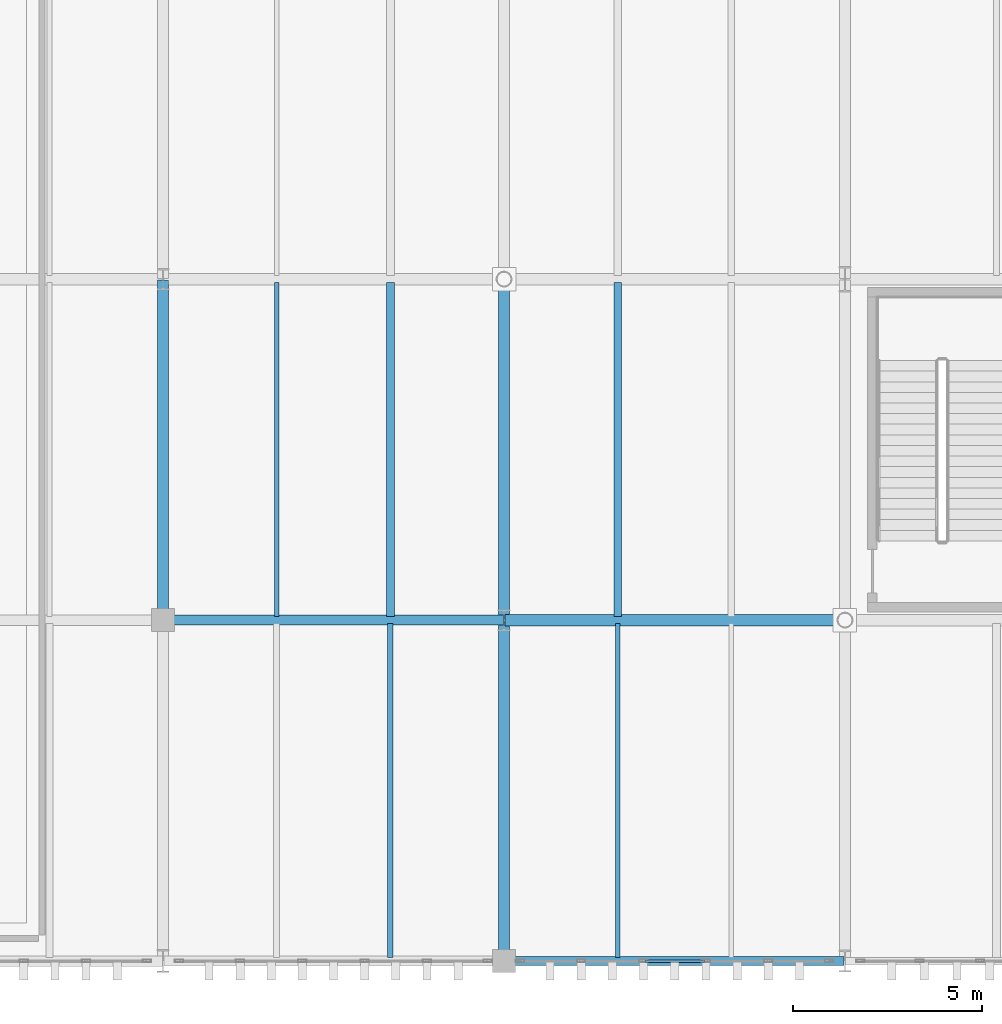
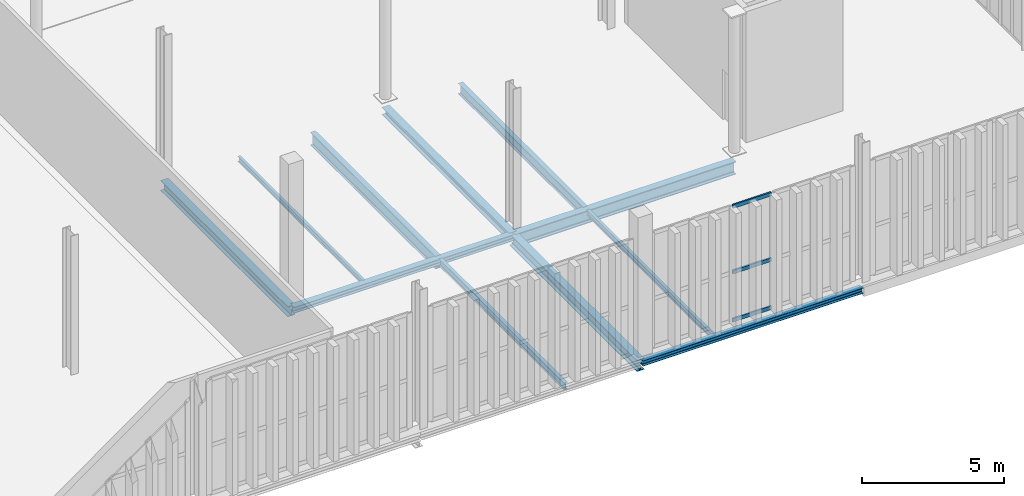
# One storey, part 90 of 211: 11 beams, 3 members, 1 element without a shape of its own.
"""IFC4 building model written with IfcOpenShell, lengths in metres."""

from ifc_helpers import new_model, si_unit, direction, frame, origin, origin_2d, place, context, subcontext, project, spatial, hollow_rectangle, i_section, extrude, material, layer, layer_set, material_profile, profile_set, type_object, element, aggregate, save


model = new_model("IFC4")

# Units and contexts
model_context = context("Model", 3, precision=1e-05, world=origin(), true_north=direction((0.0, 1.0)))
body_context = subcontext(model_context, "Body", "Model", "MODEL_VIEW")
ifc_project = project(units=[si_unit("LENGTHUNIT", "METRE"), si_unit("AREAUNIT", "SQUARE_METRE"), si_unit("VOLUMEUNIT", "CUBIC_METRE"), si_unit("PLANEANGLEUNIT", "RADIAN"), si_unit("MASSUNIT", "GRAM", prefix="KILO")], contexts=[model_context])

# Site, building, storey
site_placement = place(None, origin())
site = spatial("IfcSite", under=ifc_project, at=site_placement, CompositionType="ELEMENT")
building_placement = place(site_placement, origin())
building = spatial("IfcBuilding", under=site, at=building_placement, Name="Barlavento Convention Centre", CompositionType="ELEMENT")
storey_placement = place(building_placement, frame((0.0, 0.0, 6.0)))
storey = spatial("IfcBuildingStorey", under=building, at=storey_placement, Name="L01", CompositionType="ELEMENT", Elevation=6.0)

# Curtain wall, members
ifc_material_1 = material(Name="Powder-coated aluminium and Low-E glass", Category="aluminium")
ifc_layer = layer(ifc_material_1, 0.18994140625)
ifc_layer_set = layer_set([ifc_layer], Name="ARC-CW-BALL-L01")
curtain_wall_type = type_object("IfcCurtainWallType", Name="ARC-CW-BALL-L01", PredefinedType="NOTDEFINED", material=ifc_layer_set)
curtain_wall_placement = place(storey_placement, origin())
curtain_wall = element("IfcCurtainWall", 1, at=curtain_wall_placement, inside=storey, type_object=curtain_wall_type, Name="L01 unitised curtain wall CW06", PredefinedType="NOTDEFINED")
ifc_material_2 = material(Name="Powder-coated aluminium", Category="aluminium")
ifc_material_profile_1 = material_profile(ifc_material_2, hollow_rectangle(XDim=0.06494140625, YDim=0.159912109375, WallThickness=0.0048828125, at=origin_2d()), Name="AL-TRAN 65x160x5")
ifc_profile_set_1 = profile_set([ifc_material_profile_1], Name="Powder-coated aluminium")
member_type = type_object("IfcMemberType", Name="ARC-CWT-65X160", PredefinedType="USERDEFINED", material=ifc_profile_set_1)
member_1_placement = place(storey_placement, frame((174.718505859375, 0.0, 0.032470703125), z_axis=(1.0, 0.0, 0.0), x_axis=(0.0, 1.0, 0.0)))
member_1 = element("IfcMember", 2, at=member_1_placement, type_object=member_type, Name="CW06 transom 3.1", ObjectType="TRANSOM", PredefinedType="USERDEFINED", context=body_context, shape_type="SweptSolid", body=[
    extrude(hollow_rectangle(XDim=0.06494140625, YDim=0.159912109375, WallThickness=0.0048828125, at=origin_2d()), origin(), (0.0, 0.0, 1.0), 1.576904296875),
])
member_2_placement = place(storey_placement, frame((174.718505859375, 0.0, 2.10009765625), z_axis=(1.0, 0.0, 0.0), x_axis=(0.0, 1.0, 0.0)))
member_2 = element("IfcMember", 3, at=member_2_placement, type_object=member_type, Name="CW06 transom 3.2", ObjectType="TRANSOM", PredefinedType="USERDEFINED", context=body_context, shape_type="SweptSolid", body=[
    extrude(hollow_rectangle(XDim=0.06494140625, YDim=0.159912109375, WallThickness=0.0048828125, at=origin_2d()), origin(), (0.0, 0.0, 1.0), 1.576904296875),
])
member_3_placement = place(storey_placement, frame((174.718505859375, 0.0, 4.91748046875), z_axis=(1.0, 0.0, 0.0), x_axis=(0.0, 1.0, 0.0)))
member_3 = element("IfcMember", 4, at=member_3_placement, type_object=member_type, Name="CW06 transom 3.3", ObjectType="TRANSOM", PredefinedType="USERDEFINED", context=body_context, shape_type="SweptSolid", body=[
    extrude(hollow_rectangle(XDim=0.06494140625, YDim=0.159912109375, WallThickness=0.0048828125, at=origin_2d()), origin(), (0.0, 0.0, 1.0), 1.576904296875),
])
aggregate(curtain_wall, [member_1, member_2, member_3])

# Beams
ifc_material_3 = material(Name="Steel S355", Category="steel")
ifc_material_profile_2 = material_profile(ifc_material_3, i_section(OverallWidth=0.110107421875, OverallDepth=0.219970703125, WebThickness=0.005859375, FlangeThickness=0.00927734375, FilletRadius=0.011962890625, at=origin_2d()), Name="IPE 220")
ifc_profile_set_2 = profile_set([ifc_material_profile_2], Name="Steel S355")
beam_type_1 = type_object("IfcBeamType", Name="STR-BM-JST-IPE220", PredefinedType="JOIST", material=ifc_profile_set_2)
beam_1_placement = place(storey_placement, frame((165.0, 9.094970703125, -0.469970703125), z_axis=(0.0, 1.0, 0.0), x_axis=(-1.0, 0.0, 0.0)))
element("IfcBeam", 5, at=beam_1_placement, inside=storey, type_object=beam_type_1, Name="L01 composite floor joist SJ10", PredefinedType="JOIST", context=body_context, shape_type="SweptSolid", body=[
    extrude(i_section(OverallWidth=0.110107421875, OverallDepth=0.219970703125, WebThickness=0.005859375, FlangeThickness=0.00927734375, FilletRadius=0.011962890625, at=origin_2d()), origin(), (0.0, 0.0, 1.0), 8.81005859375),
])
ifc_material_profile_3 = material_profile(ifc_material_3, i_section(OverallWidth=0.1201171875, OverallDepth=0.239990234375, WebThickness=0.006103515625, FlangeThickness=0.009765625, FilletRadius=0.014892578125, at=origin_2d()), Name="IPE 240")
ifc_profile_set_3 = profile_set([ifc_material_profile_3], Name="Steel S355")
beam_type_2 = type_object("IfcBeamType", Name="STR-BM-JST-IPE240", PredefinedType="JOIST", material=ifc_profile_set_3)
beam_2_placement = place(storey_placement, frame((174.0, 0.094970703125, -0.47998046875), z_axis=(0.0, 1.0, 0.0), x_axis=(-1.0, 0.0, 0.0)))
element("IfcBeam", 6, at=beam_2_placement, inside=storey, type_object=beam_type_2, Name="L01 composite floor joist SJ09", PredefinedType="JOIST", context=body_context, shape_type="SweptSolid", body=[
    extrude(i_section(OverallWidth=0.1201171875, OverallDepth=0.239990234375, WebThickness=0.006103515625, FlangeThickness=0.009765625, FilletRadius=0.014892578125, at=origin_2d()), origin(), (0.0, 0.0, 1.0), 8.81005859375),
])
ifc_material_profile_4 = material_profile(ifc_material_3, i_section(OverallWidth=0.14990234375, OverallDepth=0.300048828125, WebThickness=0.007080078125, FlangeThickness=0.0107421875, FilletRadius=0.014892578125, at=origin_2d()), Name="IPE 300")
ifc_profile_set_4 = profile_set([ifc_material_profile_4], Name="Steel S355")
beam_type_3 = type_object("IfcBeamType", Name="STR-BM-JST-IPE300", PredefinedType="JOIST", material=ifc_profile_set_4)
beam_3_placement = place(storey_placement, frame((168.0, 0.094970703125, -0.510009765625), z_axis=(0.0, 1.0, 0.0), x_axis=(-1.0, 0.0, 0.0)))
element("IfcBeam", 7, at=beam_3_placement, inside=storey, type_object=beam_type_3, Name="L01 composite floor joist SJ07", PredefinedType="JOIST", context=body_context, shape_type="SweptSolid", body=[
    extrude(i_section(OverallWidth=0.14990234375, OverallDepth=0.300048828125, WebThickness=0.007080078125, FlangeThickness=0.0107421875, FilletRadius=0.014892578125, at=origin_2d()), origin(), (0.0, 0.0, 1.0), 8.81005859375),
])
ifc_material_profile_5 = material_profile(ifc_material_3, i_section(OverallWidth=0.18994140625, OverallDepth=0.449951171875, WebThickness=0.009521484375, FlangeThickness=0.0146484375, FilletRadius=0.02099609375, at=origin_2d()), Name="IPE 450")
ifc_profile_set_5 = profile_set([ifc_material_profile_5], Name="Steel S355")
beam_type_4 = type_object("IfcBeamType", Name="STR-BM-JST-IPE450", PredefinedType="JOIST", material=ifc_profile_set_5)
beam_4_placement = place(storey_placement, frame((174.0, 9.094970703125, -0.5849609375), z_axis=(0.0, 1.0, 0.0), x_axis=(-1.0, 0.0, 0.0)))
element("IfcBeam", 8, at=beam_4_placement, inside=storey, type_object=beam_type_4, Name="L01 composite floor joist SJ03", PredefinedType="JOIST", context=body_context, shape_type="SweptSolid", body=[
    extrude(i_section(OverallWidth=0.18994140625, OverallDepth=0.449951171875, WebThickness=0.009521484375, FlangeThickness=0.0146484375, FilletRadius=0.02099609375, at=origin_2d()), origin(), (0.0, 0.0, 1.0), 8.81005859375),
])
ifc_material_profile_6 = material_profile(ifc_material_3, i_section(OverallWidth=0.2099609375, OverallDepth=0.550048828125, WebThickness=0.010986328125, FlangeThickness=0.01708984375, FilletRadius=0.02392578125, at=origin_2d()), Name="IPE 550")
ifc_profile_set_6 = profile_set([ifc_material_profile_6], Name="Steel S355")
beam_type_5 = type_object("IfcBeamType", Name="STR-BM-JST-IPE550", PredefinedType="JOIST", material=ifc_profile_set_6)
beam_5_placement = place(storey_placement, frame((168.0, 9.094970703125, -0.635009765625), z_axis=(0.0, 1.0, 0.0), x_axis=(-1.0, 0.0, 0.0)))
element("IfcBeam", 9, at=beam_5_placement, inside=storey, type_object=beam_type_5, Name="L01 composite floor joist SJ01", PredefinedType="JOIST", context=body_context, shape_type="SweptSolid", body=[
    extrude(i_section(OverallWidth=0.2099609375, OverallDepth=0.550048828125, WebThickness=0.010986328125, FlangeThickness=0.01708984375, FilletRadius=0.02392578125, at=origin_2d()), origin(), (0.0, 0.0, 1.0), 8.81005859375),
])
ifc_material_profile_7 = material_profile(ifc_material_3, i_section(OverallWidth=0.300048828125, OverallDepth=0.330078125, WebThickness=0.009521484375, FlangeThickness=0.0166015625, FilletRadius=0.027099609375, at=origin_2d()), Name="HEA 340")
ifc_profile_set_7 = profile_set([ifc_material_profile_7], Name="Steel S355")
beam_type_6 = type_object("IfcBeamType", Name="STR-BM-PRI-HEA340", PredefinedType="BEAM", material=ifc_profile_set_7)
beam_6_placement = place(storey_placement, frame((171.0, 9.02001953125, -0.52490234375), z_axis=(0.0, 1.0, 0.0), x_axis=(-1.0, 0.0, 0.0)))
element("IfcBeam", 10, at=beam_6_placement, inside=storey, type_object=beam_type_6, Name="L01 grid girder BG24", PredefinedType="BEAM", context=body_context, shape_type="SweptSolid", body=[
    extrude(i_section(OverallWidth=0.300048828125, OverallDepth=0.330078125, WebThickness=0.009521484375, FlangeThickness=0.0166015625, FilletRadius=0.027099609375, at=origin_2d()), origin(), (0.0, 0.0, 1.0), 8.9599609375),
])
ifc_material_profile_8 = material_profile(ifc_material_3, i_section(OverallWidth=0.300048828125, OverallDepth=0.43994140625, WebThickness=0.011474609375, FlangeThickness=0.02099609375, FilletRadius=0.027099609375, at=origin_2d()), Name="HEA 450")
ifc_profile_set_8 = profile_set([ifc_material_profile_8], Name="Steel S355")
beam_type_7 = type_object("IfcBeamType", Name="STR-BM-PRI-HEA450", PredefinedType="BEAM", material=ifc_profile_set_8)
beam_7_placement = place(storey_placement, frame((162.0, 9.02001953125, -0.580078125), z_axis=(0.0, 1.0, 0.0), x_axis=(-1.0, 0.0, 0.0)))
element("IfcBeam", 11, at=beam_7_placement, inside=storey, type_object=beam_type_7, Name="L01 grid girder BG21", PredefinedType="BEAM", context=body_context, shape_type="SweptSolid", body=[
    extrude(i_section(OverallWidth=0.300048828125, OverallDepth=0.43994140625, WebThickness=0.011474609375, FlangeThickness=0.02099609375, FilletRadius=0.027099609375, at=origin_2d()), origin(), (0.0, 0.0, 1.0), 8.9599609375),
])
ifc_material_profile_9 = material_profile(ifc_material_3, i_section(OverallWidth=0.300048828125, OverallDepth=0.489990234375, WebThickness=0.011962890625, FlangeThickness=0.02294921875, FilletRadius=0.027099609375, at=origin_2d()), Name="HEA 500")
ifc_profile_set_9 = profile_set([ifc_material_profile_9], Name="Steel S355")
beam_type_8 = type_object("IfcBeamType", Name="STR-BM-PRI-HEA500", PredefinedType="BEAM", material=ifc_profile_set_9)
beam_8_placement = place(storey_placement, frame((171.0, 0.02001953125, -0.60498046875), z_axis=(0.0, 1.0, 0.0), x_axis=(-1.0, 0.0, 0.0)))
element("IfcBeam", 12, at=beam_8_placement, inside=storey, type_object=beam_type_8, Name="L01 grid girder BG20", PredefinedType="BEAM", context=body_context, shape_type="SweptSolid", body=[
    extrude(i_section(OverallWidth=0.300048828125, OverallDepth=0.489990234375, WebThickness=0.011962890625, FlangeThickness=0.02294921875, FilletRadius=0.027099609375, at=origin_2d()), origin(), (0.0, 0.0, 1.0), 8.9599609375),
])
ifc_material_profile_10 = material_profile(ifc_material_3, i_section(OverallWidth=0.260009765625, OverallDepth=0.260009765625, WebThickness=0.010009765625, FlangeThickness=0.017578125, FilletRadius=0.02392578125, at=origin_2d()), Name="HEB 260")
ifc_profile_set_10 = profile_set([ifc_material_profile_10], Name="Steel S355")
beam_type_9 = type_object("IfcBeamType", Name="STR-BM-PRI-HEB260", PredefinedType="BEAM", material=ifc_profile_set_10)
beam_9_placement = place(storey_placement, frame((162.02001953125, 9.0, -0.489990234375), z_axis=(1.0, 0.0, 0.0), x_axis=(0.0, 1.0, 0.0)))
element("IfcBeam", 13, at=beam_9_placement, inside=storey, type_object=beam_type_9, Name="L01 primary girder BG16", PredefinedType="BEAM", context=body_context, shape_type="SweptSolid", body=[
    extrude(i_section(OverallWidth=0.260009765625, OverallDepth=0.260009765625, WebThickness=0.010009765625, FlangeThickness=0.017578125, FilletRadius=0.02392578125, at=origin_2d()), origin(), (0.0, 0.0, 1.0), 8.9599609375),
])
ifc_material_profile_11 = material_profile(ifc_material_3, i_section(OverallWidth=0.300048828125, OverallDepth=0.550048828125, WebThickness=0.014892578125, FlangeThickness=0.029052734375, FilletRadius=0.027099609375, at=origin_2d()), Name="HEB 550")
ifc_profile_set_11 = profile_set([ifc_material_profile_11], Name="Steel S355")
beam_type_10 = type_object("IfcBeamType", Name="STR-BM-PRI-HEB550", PredefinedType="BEAM", material=ifc_profile_set_11)
beam_10_placement = place(storey_placement, frame((171.02001953125, 9.0, -0.635009765625), z_axis=(1.0, 0.0, 0.0), x_axis=(0.0, 1.0, 0.0)))
element("IfcBeam", 14, at=beam_10_placement, inside=storey, type_object=beam_type_10, Name="L01 primary girder BG08", PredefinedType="BEAM", context=body_context, shape_type="SweptSolid", body=[
    extrude(i_section(OverallWidth=0.300048828125, OverallDepth=0.550048828125, WebThickness=0.014892578125, FlangeThickness=0.029052734375, FilletRadius=0.027099609375, at=origin_2d()), origin(), (0.0, 0.0, 1.0), 8.9599609375),
])
ifc_material_profile_12 = material_profile(ifc_material_3, i_section(OverallWidth=0.239990234375, OverallDepth=0.22998046875, WebThickness=0.007568359375, FlangeThickness=0.011962890625, FilletRadius=0.02099609375, at=origin_2d()), Name="HEA 240")
ifc_profile_set_12 = profile_set([ifc_material_profile_12], Name="Steel S355")
beam_type_11 = type_object("IfcBeamType", Name="STR-BM-SPN-HEA240", PredefinedType="SPANDREL", material=ifc_profile_set_12)
beam_11_placement = place(storey_placement, frame((171.02001953125, 0.0, -0.47509765625), z_axis=(1.0, 0.0, 0.0), x_axis=(0.0, 1.0, 0.0)))
element("IfcBeam", 15, at=beam_11_placement, inside=storey, type_object=beam_type_11, Name="L01 primary girder SP05", PredefinedType="SPANDREL", context=body_context, shape_type="SweptSolid", body=[
    extrude(i_section(OverallWidth=0.239990234375, OverallDepth=0.22998046875, WebThickness=0.007568359375, FlangeThickness=0.011962890625, FilletRadius=0.02099609375, at=origin_2d()), origin(), (0.0, 0.0, 1.0), 8.9599609375),
])

save(model, "model.ifc")
